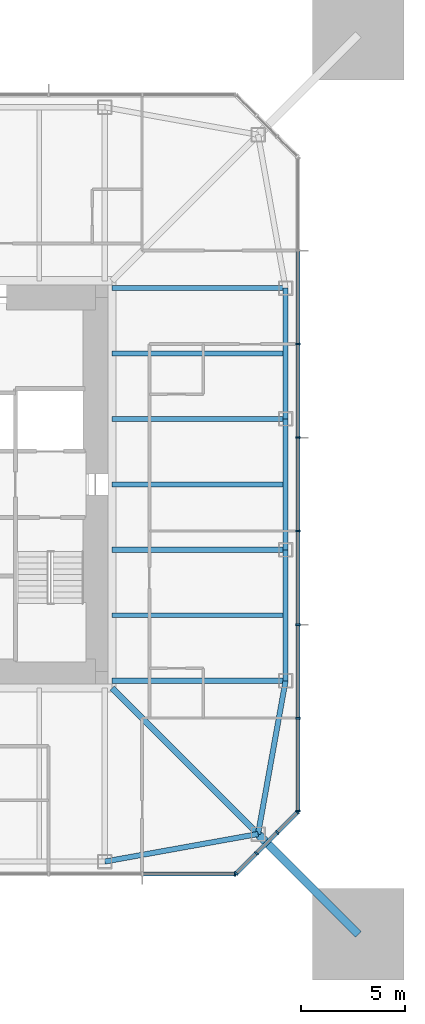
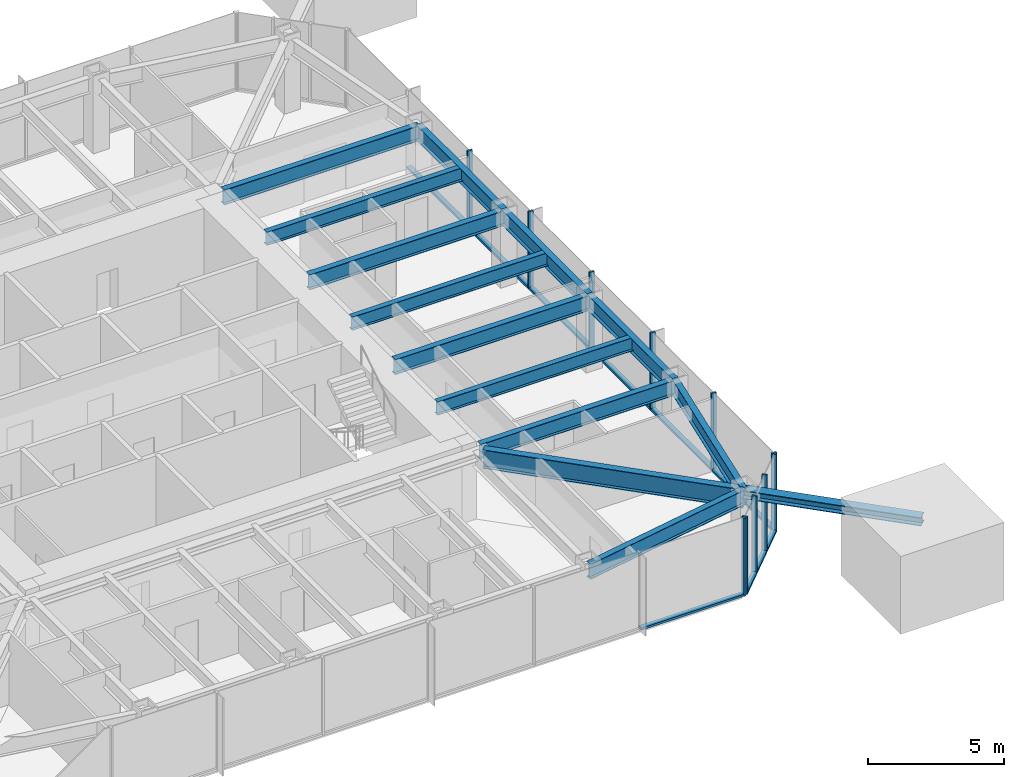
# One storey, part 3 of 11: 22 members, 13 beams, 3 elements without a shape of their own.
"""IFC4 building model written with IfcOpenShell, lengths in metres."""

from ifc_helpers import new_model, si_unit, direction, frame, origin, origin_2d, place, context, subcontext, project, spatial, rectangle, i_section, extrude, material, material_profile, profile_set, type_object, element, aggregate, save


model = new_model("IFC4")

# Units and contexts
model_context = context("Model", 3, precision=1e-05, world=origin(), true_north=direction((0.0, 1.0)))
body_context = subcontext(model_context, "Body", "Model", "MODEL_VIEW")
ifc_project = project(units=[si_unit("LENGTHUNIT", "METRE"), si_unit("AREAUNIT", "SQUARE_METRE"), si_unit("VOLUMEUNIT", "CUBIC_METRE"), si_unit("PLANEANGLEUNIT", "RADIAN"), si_unit("MASSUNIT", "GRAM", prefix="KILO")], contexts=[model_context])

# Site, building, storey
site_placement = place(None, origin())
site = spatial("IfcSite", under=ifc_project, at=site_placement, CompositionType="ELEMENT")
building_placement = place(site_placement, origin())
building = spatial("IfcBuilding", under=site, at=building_placement, Name="Iwan Alto Co-Living Towers", CompositionType="ELEMENT")
storey_placement = place(building_placement, frame((0.0, 0.0, 195.0)))
storey = spatial("IfcBuildingStorey", under=building, at=storey_placement, Name="L53", CompositionType="ELEMENT", Elevation=195.0)

# Curtain wall, member
ifc_material_1 = material(Name="Bronze aluminium unitised frame", Category="aluminium")
curtain_wall_type_1 = type_object("IfcCurtainWallType", Name="CURTAIN WALL CW-A", PredefinedType="NOTDEFINED", material=ifc_material_1)
curtain_wall_1_placement = place(storey_placement, origin())
curtain_wall_1 = element("IfcCurtainWall", 1, at=curtain_wall_1_placement, inside=storey, type_object=curtain_wall_type_1, Name="T1 curtain wall S L53", PredefinedType="NOTDEFINED")
ifc_material_2 = material(Name="Aluminium 6063-T6 bronze anodised", Category="aluminium")
ifc_material_profile_1 = material_profile(ifc_material_2, rectangle(XDim=0.199951171875, YDim=0.080078125, at=origin_2d()), Name="AL 80X200")
ifc_profile_set_1 = profile_set([ifc_material_profile_1], Name="Aluminium 6063-T6 bronze anodised")
member_type_1 = type_object("IfcMemberType", Name="CW-A MULLION 80X200", PredefinedType="MULLION", material=ifc_profile_set_1)
member_1_placement = place(storey_placement, frame((15.7099609375, -18.75, 0.0), z_axis=(0.0, 0.0, 1.0), x_axis=(0.0, 1.0, 0.0)))
member_1 = element("IfcMember", 2, at=member_1_placement, type_object=member_type_1, Name="CW-A mullion 8", PredefinedType="MULLION", context=body_context, shape_type="SweptSolid", body=[
    extrude(rectangle(XDim=0.199951171875, YDim=0.080078125, at=origin_2d()), origin(), (0.0, 0.0, 1.0), 3.5),
])

# Curtain wall, members
curtain_wall_2_placement = place(storey_placement, origin())
curtain_wall_2 = element("IfcCurtainWall", 3, at=curtain_wall_2_placement, inside=storey, type_object=curtain_wall_type_1, Name="T1 curtain wall E L53", PredefinedType="NOTDEFINED")
member_2_placement = place(storey_placement, frame((18.75, -15.7099609375, 0.0), z_axis=(0.0, 0.0, 1.0), x_axis=(-1.0, 0.0, 0.0)))
member_2 = element("IfcMember", 4, at=member_2_placement, type_object=member_type_1, Name="CW-A mullion 1", PredefinedType="MULLION", context=body_context, shape_type="SweptSolid", body=[
    extrude(rectangle(XDim=0.199951171875, YDim=0.080078125, at=origin_2d()), origin(), (0.0, 0.0, 1.0), 3.5),
])
member_3_placement = place(storey_placement, frame((18.75, -11.25, 0.0), z_axis=(0.0, 0.0, 1.0), x_axis=(-1.0, 0.0, 0.0)))
member_3 = element("IfcMember", 5, at=member_3_placement, type_object=member_type_1, Name="CW-A mullion 2", PredefinedType="MULLION", context=body_context, shape_type="SweptSolid", body=[
    extrude(rectangle(XDim=0.199951171875, YDim=0.080078125, at=origin_2d()), origin(), (0.0, 0.0, 1.0), 3.5),
])
member_4_placement = place(storey_placement, frame((18.75, -6.75, 0.0), z_axis=(0.0, 0.0, 1.0), x_axis=(-1.0, 0.0, 0.0)))
member_4 = element("IfcMember", 6, at=member_4_placement, type_object=member_type_1, Name="CW-A mullion 3", PredefinedType="MULLION", context=body_context, shape_type="SweptSolid", body=[
    extrude(rectangle(XDim=0.199951171875, YDim=0.080078125, at=origin_2d()), origin(), (0.0, 0.0, 1.0), 3.5),
])
member_5_placement = place(storey_placement, frame((18.75, -2.25, 0.0), z_axis=(0.0, 0.0, 1.0), x_axis=(-1.0, 0.0, 0.0)))
member_5 = element("IfcMember", 7, at=member_5_placement, type_object=member_type_1, Name="CW-A mullion 4", PredefinedType="MULLION", context=body_context, shape_type="SweptSolid", body=[
    extrude(rectangle(XDim=0.199951171875, YDim=0.080078125, at=origin_2d()), origin(), (0.0, 0.0, 1.0), 3.5),
])
member_6_placement = place(storey_placement, frame((18.75, 2.25, 0.0), z_axis=(0.0, 0.0, 1.0), x_axis=(-1.0, 0.0, 0.0)))
member_6 = element("IfcMember", 8, at=member_6_placement, type_object=member_type_1, Name="CW-A mullion 5", PredefinedType="MULLION", context=body_context, shape_type="SweptSolid", body=[
    extrude(rectangle(XDim=0.199951171875, YDim=0.080078125, at=origin_2d()), origin(), (0.0, 0.0, 1.0), 3.5),
])
member_7_placement = place(storey_placement, frame((18.75, 6.75, 0.0), z_axis=(0.0, 0.0, 1.0), x_axis=(-1.0, 0.0, 0.0)))
member_7 = element("IfcMember", 9, at=member_7_placement, type_object=member_type_1, Name="CW-A mullion 6", PredefinedType="MULLION", context=body_context, shape_type="SweptSolid", body=[
    extrude(rectangle(XDim=0.199951171875, YDim=0.080078125, at=origin_2d()), origin(), (0.0, 0.0, 1.0), 3.5),
])

# Member
ifc_material_3 = material(Name="Aluminium 6063-T6 bronze anodised", Category="aluminium")
ifc_material_profile_2 = material_profile(ifc_material_3, rectangle(XDim=0.199951171875, YDim=0.10009765625, at=origin_2d()), Name="AL 200X100")
ifc_profile_set_2 = profile_set([ifc_material_profile_2], Name="Aluminium 6063-T6 bronze anodised")
member_type_2 = type_object("IfcMemberType", Name="CW-A TRANSOM 200X100", PredefinedType="USERDEFINED", material=ifc_profile_set_2)
member_8_placement = place(storey_placement, frame((11.2900390625, -18.75, 0.050048828125), z_axis=(1.0, 0.0, 0.0), x_axis=(0.0, 1.0, 0.0)))
member_8 = element("IfcMember", 10, at=member_8_placement, type_object=member_type_2, Name="CW-A transom 7.1", ObjectType="TRANSOM", PredefinedType="USERDEFINED", context=body_context, shape_type="SweptSolid", body=[
    extrude(rectangle(XDim=0.199951171875, YDim=0.10009765625, at=origin_2d()), origin(), (0.0, 0.0, 1.0), 4.3798828125),
])

aggregate(curtain_wall_1, [member_1, member_8])

member_9_placement = place(storey_placement, frame((18.75, -15.669921875, 0.050048828125), z_axis=(0.0, 1.0, 0.0), x_axis=(-1.0, 0.0, 0.0)))
member_9 = element("IfcMember", 11, at=member_9_placement, type_object=member_type_2, Name="CW-A transom 1.1", ObjectType="TRANSOM", PredefinedType="USERDEFINED", context=body_context, shape_type="SweptSolid", body=[
    extrude(rectangle(XDim=0.199951171875, YDim=0.10009765625, at=origin_2d()), origin(), (0.0, 0.0, 1.0), 4.3798828125),
])

member_10_placement = place(storey_placement, frame((18.75, -11.2099609375, 0.050048828125), z_axis=(0.0, 1.0, 0.0), x_axis=(-1.0, 0.0, 0.0)))
member_10 = element("IfcMember", 12, at=member_10_placement, type_object=member_type_2, Name="CW-A transom 2.1", ObjectType="TRANSOM", PredefinedType="USERDEFINED", context=body_context, shape_type="SweptSolid", body=[
    extrude(rectangle(XDim=0.199951171875, YDim=0.10009765625, at=origin_2d()), origin(), (0.0, 0.0, 1.0), 4.419921875),
])

member_11_placement = place(storey_placement, frame((18.75, -6.7099609375, 0.050048828125), z_axis=(0.0, 1.0, 0.0), x_axis=(-1.0, 0.0, 0.0)))
member_11 = element("IfcMember", 13, at=member_11_placement, type_object=member_type_2, Name="CW-A transom 3.1", ObjectType="TRANSOM", PredefinedType="USERDEFINED", context=body_context, shape_type="SweptSolid", body=[
    extrude(rectangle(XDim=0.199951171875, YDim=0.10009765625, at=origin_2d()), origin(), (0.0, 0.0, 1.0), 4.419921875),
])

member_12_placement = place(storey_placement, frame((18.75, -2.2099609375, 0.050048828125), z_axis=(0.0, 1.0, 0.0), x_axis=(-1.0, 0.0, 0.0)))
member_12 = element("IfcMember", 14, at=member_12_placement, type_object=member_type_2, Name="CW-A transom 4.1", ObjectType="TRANSOM", PredefinedType="USERDEFINED", context=body_context, shape_type="SweptSolid", body=[
    extrude(rectangle(XDim=0.199951171875, YDim=0.10009765625, at=origin_2d()), origin(), (0.0, 0.0, 1.0), 4.419921875),
])

member_13_placement = place(storey_placement, frame((18.75, 2.2900390625, 0.050048828125), z_axis=(0.0, 1.0, 0.0), x_axis=(-1.0, 0.0, 0.0)))
member_13 = element("IfcMember", 15, at=member_13_placement, type_object=member_type_2, Name="CW-A transom 5.1", ObjectType="TRANSOM", PredefinedType="USERDEFINED", context=body_context, shape_type="SweptSolid", body=[
    extrude(rectangle(XDim=0.199951171875, YDim=0.10009765625, at=origin_2d()), origin(), (0.0, 0.0, 1.0), 4.419921875),
])

member_14_placement = place(storey_placement, frame((18.75, 6.7900390625, 0.050048828125), z_axis=(0.0, 1.0, 0.0), x_axis=(-1.0, 0.0, 0.0)))
member_14 = element("IfcMember", 16, at=member_14_placement, type_object=member_type_2, Name="CW-A transom 6.1", ObjectType="TRANSOM", PredefinedType="USERDEFINED", context=body_context, shape_type="SweptSolid", body=[
    extrude(rectangle(XDim=0.199951171875, YDim=0.10009765625, at=origin_2d()), origin(), (0.0, 0.0, 1.0), 4.419921875),
])

aggregate(curtain_wall_2, [member_2, member_3, member_4, member_5, member_6, member_7, member_9, member_10, member_11, member_12, member_13, member_14])

# Curtain wall, members
ifc_material_4 = material(Name="Bronze aluminium unitised frame", Category="aluminium")
curtain_wall_type_2 = type_object("IfcCurtainWallType", Name="CURTAIN WALL CW-B", PredefinedType="NOTDEFINED", material=ifc_material_4)
curtain_wall_3_placement = place(storey_placement, origin())
curtain_wall_3 = element("IfcCurtainWall", 17, at=curtain_wall_3_placement, inside=storey, type_object=curtain_wall_type_2, Name="T1 chamfer curtain wall SE L53", PredefinedType="NOTDEFINED")
ifc_material_5 = material(Name="Aluminium 6063-T6 bronze anodised", Category="aluminium")
ifc_material_profile_3 = material_profile(ifc_material_5, rectangle(XDim=0.199951171875, YDim=0.080078125, at=origin_2d()), Name="AL 80X200")
ifc_profile_set_3 = profile_set([ifc_material_profile_3], Name="Aluminium 6063-T6 bronze anodised")
member_type_3 = type_object("IfcMemberType", Name="CW-B MULLION 80X200", PredefinedType="MULLION", material=ifc_profile_set_3)
member_15_placement = place(storey_placement, frame((15.7783203125, -18.7216796875, 0.0), z_axis=(0.0, 0.0, 1.0), x_axis=(-0.707106781187, 0.707106781187, 0.0)))
member_15 = element("IfcMember", 18, at=member_15_placement, type_object=member_type_3, Name="CW-B mullion 1", PredefinedType="MULLION", context=body_context, shape_type="SweptSolid", body=[
    extrude(rectangle(XDim=0.199951171875, YDim=0.080078125, at=origin_2d()), origin(), (0.0, 0.0, 1.0), 3.5),
])
member_16_placement = place(storey_placement, frame((16.75, -17.75, 0.0), z_axis=(0.0, 0.0, 1.0), x_axis=(-0.707106781187, 0.707106781187, 0.0)))
member_16 = element("IfcMember", 19, at=member_16_placement, type_object=member_type_3, Name="CW-B mullion 2", PredefinedType="MULLION", context=body_context, shape_type="SweptSolid", body=[
    extrude(rectangle(XDim=0.199951171875, YDim=0.080078125, at=origin_2d()), origin(), (0.0, 0.0, 1.0), 3.5),
])
member_17_placement = place(storey_placement, frame((17.75, -16.75, 0.0), z_axis=(0.0, 0.0, 1.0), x_axis=(-0.707106781187, 0.707106781187, 0.0)))
member_17 = element("IfcMember", 20, at=member_17_placement, type_object=member_type_3, Name="CW-B mullion 3", PredefinedType="MULLION", context=body_context, shape_type="SweptSolid", body=[
    extrude(rectangle(XDim=0.199951171875, YDim=0.080078125, at=origin_2d()), origin(), (0.0, 0.0, 1.0), 3.5),
])
member_18_placement = place(storey_placement, frame((18.7216796875, -15.7783203125, 0.0), z_axis=(0.0, 0.0, 1.0), x_axis=(-0.707106781187, 0.707106781187, 0.0)))
member_18 = element("IfcMember", 21, at=member_18_placement, type_object=member_type_3, Name="CW-B mullion 4", PredefinedType="MULLION", context=body_context, shape_type="SweptSolid", body=[
    extrude(rectangle(XDim=0.199951171875, YDim=0.080078125, at=origin_2d()), origin(), (0.0, 0.0, 1.0), 3.5),
])
ifc_material_6 = material(Name="Aluminium 6063-T6 bronze anodised", Category="aluminium")
ifc_material_profile_4 = material_profile(ifc_material_6, rectangle(XDim=0.199951171875, YDim=0.10009765625, at=origin_2d()), Name="AL 200X100")
ifc_profile_set_4 = profile_set([ifc_material_profile_4], Name="Aluminium 6063-T6 bronze anodised")
member_type_4 = type_object("IfcMemberType", Name="CW-B TRANSOM 200X100", PredefinedType="USERDEFINED", material=ifc_profile_set_4)
member_19_placement = place(storey_placement, frame((15.806640625, -18.693359375, 0.050048828125), z_axis=(0.707106781187, 0.707106781187, 0.0), x_axis=(-0.707106781187, 0.707106781187, 0.0)))
member_19 = element("IfcMember", 22, at=member_19_placement, type_object=member_type_4, Name="CW-B transom 1.1", ObjectType="TRANSOM", PredefinedType="USERDEFINED", context=body_context, shape_type="SweptSolid", body=[
    extrude(rectangle(XDim=0.199951171875, YDim=0.10009765625, at=origin_2d()), origin(), (0.0, 0.0, 1.0), 1.2939453125),
])
member_20_placement = place(storey_placement, frame((16.7783203125, -17.7216796875, 0.050048828125), z_axis=(0.707106781187, 0.707106781187, 0.0), x_axis=(-0.707106781187, 0.707106781187, 0.0)))
member_20 = element("IfcMember", 23, at=member_20_placement, type_object=member_type_4, Name="CW-B transom 2.1", ObjectType="TRANSOM", PredefinedType="USERDEFINED", context=body_context, shape_type="SweptSolid", body=[
    extrude(rectangle(XDim=0.199951171875, YDim=0.10009765625, at=origin_2d()), origin(), (0.0, 0.0, 1.0), 1.334228515625),
])
member_21_placement = place(storey_placement, frame((17.7783203125, -16.7216796875, 0.050048828125), z_axis=(0.707106781187, 0.707106781187, 0.0), x_axis=(-0.707106781187, 0.707106781187, 0.0)))
member_21 = element("IfcMember", 24, at=member_21_placement, type_object=member_type_4, Name="CW-B transom 3.1", ObjectType="TRANSOM", PredefinedType="USERDEFINED", context=body_context, shape_type="SweptSolid", body=[
    extrude(rectangle(XDim=0.199951171875, YDim=0.10009765625, at=origin_2d()), origin(), (0.0, 0.0, 1.0), 1.2939453125),
])
aggregate(curtain_wall_3, [member_15, member_16, member_17, member_18, member_19, member_20, member_21])

# Beams
ifc_material_7 = material(Name="Steel ASTM A992 Gr 50", Category="steel")
ifc_material_profile_5 = material_profile(ifc_material_7, i_section(OverallWidth=0.2919921875, OverallDepth=0.8408203125, WebThickness=0.0146484375, FlangeThickness=0.021728515625, at=origin_2d()), Name="W33X130")
ifc_profile_set_5 = profile_set([ifc_material_profile_5], Name="Steel ASTM A992 Gr 50")
beam_type_1 = type_object("IfcBeamType", Name="T1 CORNER GIRDER W33X130", PredefinedType="BEAM", material=ifc_profile_set_5)
beam_1_placement = place(storey_placement, frame((16.82568359375, -16.82568359375, 2.849609375), z_axis=(-0.707106781187, 0.707106781187, 0.0), x_axis=(-0.707106781187, -0.707106781187, 0.0)))
element("IfcBeam", 25, at=beam_1_placement, inside=storey, type_object=beam_type_1, Name="T1 corner girder CSE L54", PredefinedType="BEAM", context=body_context, shape_type="SweptSolid", body=[
    extrude(i_section(OverallWidth=0.2919921875, OverallDepth=0.8408203125, WebThickness=0.0146484375, FlangeThickness=0.021728515625, at=origin_2d()), origin(), (0.0, 0.0, 1.0), 9.936767578125),
])
ifc_material_8 = material(Name="Steel ASTM A992 Gr 50", Category="steel")
ifc_material_profile_6 = material_profile(ifc_material_8, i_section(OverallWidth=0.25390625, OverallDepth=0.683349609375, WebThickness=0.012451171875, FlangeThickness=0.018798828125, at=origin_2d()), Name="W27X94")
ifc_profile_set_6 = profile_set([ifc_material_profile_6], Name="Steel ASTM A992 Gr 50")
beam_type_2 = type_object("IfcBeamType", Name="T1 EDGE BEAM W27X94", PredefinedType="BEAM", material=ifc_profile_set_6)
for number, where, z_axis, x_axis, name in (
    (26, (9.449951171875, -18.14990234375, 2.928466796875), (0.98426263553, 0.17671181143, 0.0), (-0.17671181143, 0.98426263553, 0.0), "T1 edge beam S4 L54"),
    (27, (16.82568359375, -16.82568359375, 2.928466796875), (0.17671181143, 0.98426263553, 0.0), (-0.98426263553, 0.17671181143, 0.0), "T1 edge beam CSE L54"),
):
    element("IfcBeam", number, at=place(storey_placement, frame(where, z_axis=z_axis, x_axis=x_axis)), inside=storey, type_object=beam_type_2, Name=name, PredefinedType="BEAM", context=body_context, shape_type="SweptSolid", body=[
        extrude(i_section(OverallWidth=0.25390625, OverallDepth=0.683349609375, WebThickness=0.012451171875, FlangeThickness=0.018798828125, at=origin_2d()), origin(), (0.0, 0.0, 1.0), 7.49365234375),
    ])
beam_2_placement = place(storey_placement, frame((18.14990234375, -9.449951171875, 2.928466796875), z_axis=(0.0, 1.0, 0.0), x_axis=(-1.0, 0.0, 0.0)))
element("IfcBeam", 28, at=beam_2_placement, inside=storey, type_object=beam_type_2, Name="T1 edge beam E1 L54", PredefinedType="BEAM", context=body_context, shape_type="SweptSolid", body=[
    extrude(i_section(OverallWidth=0.25390625, OverallDepth=0.683349609375, WebThickness=0.012451171875, FlangeThickness=0.018798828125, at=origin_2d()), origin(), (0.0, 0.0, 1.0), 6.300048828125),
])
beam_3_placement = place(storey_placement, frame((18.14990234375, -3.14990234375, 2.928466796875), z_axis=(0.0, 1.0, 0.0), x_axis=(-1.0, 0.0, 0.0)))
element("IfcBeam", 29, at=beam_3_placement, inside=storey, type_object=beam_type_2, Name="T1 edge beam E2 L54", PredefinedType="BEAM", context=body_context, shape_type="SweptSolid", body=[
    extrude(i_section(OverallWidth=0.25390625, OverallDepth=0.683349609375, WebThickness=0.012451171875, FlangeThickness=0.018798828125, at=origin_2d()), origin(), (0.0, 0.0, 1.0), 6.2998046875),
])
beam_4_placement = place(storey_placement, frame((18.14990234375, 3.14990234375, 2.928466796875), z_axis=(0.0, 1.0, 0.0), x_axis=(-1.0, 0.0, 0.0)))
element("IfcBeam", 30, at=beam_4_placement, inside=storey, type_object=beam_type_2, Name="T1 edge beam E3 L54", PredefinedType="BEAM", context=body_context, shape_type="SweptSolid", body=[
    extrude(i_section(OverallWidth=0.25390625, OverallDepth=0.683349609375, WebThickness=0.012451171875, FlangeThickness=0.018798828125, at=origin_2d()), origin(), (0.0, 0.0, 1.0), 6.300048828125),
])

# Member
ifc_material_9 = material(Name="Steel ASTM A992 Gr 50", Category="steel")
ifc_material_profile_7 = material_profile(ifc_material_9, i_section(OverallWidth=0.393798828125, OverallDepth=0.3759765625, WebThickness=0.017333984375, FlangeThickness=0.027587890625, at=origin_2d()), Name="W14X145")
ifc_profile_set_7 = profile_set([ifc_material_profile_7], Name="Steel ASTM A992 Gr 50")
member_type_5 = type_object("IfcMemberType", Name="T1 MEGA COLUMN FLOOR TIE W14X145", PredefinedType="STRUT", material=ifc_profile_set_7)
member_22_placement = place(storey_placement, frame((21.64990234375, -21.64990234375, 3.08203125), z_axis=(-0.707106781187, 0.707106781187, 0.0), x_axis=(-0.707106781187, -0.707106781187, 0.0)))
element("IfcMember", 31, at=member_22_placement, inside=storey, type_object=member_type_5, Name="T1 mega column floor tie SE L54", PredefinedType="STRUT", context=body_context, shape_type="SweptSolid", body=[
    extrude(i_section(OverallWidth=0.393798828125, OverallDepth=0.3759765625, WebThickness=0.017333984375, FlangeThickness=0.027587890625, at=origin_2d()), origin(), (0.0, 0.0, 1.0), 6.822509765625),
])

# Beams
ifc_material_10 = material(Name="Steel ASTM A992 Gr 50", Category="steel")
ifc_material_profile_8 = material_profile(ifc_material_10, i_section(OverallWidth=0.25390625, OverallDepth=0.683349609375, WebThickness=0.012451171875, FlangeThickness=0.018798828125, at=origin_2d()), Name="W27X94")
ifc_profile_set_8 = profile_set([ifc_material_profile_8], Name="Steel ASTM A992 Gr 50")
beam_type_3 = type_object("IfcBeamType", Name="T1 RADIAL BEAM W27X94", PredefinedType="BEAM", material=ifc_profile_set_8)
for number, where, z_axis, x_axis, name in (
    (32, (18.14990234375, -9.449951171875, 2.928466796875), (-1.0, 0.0, 0.0), (0.0, -1.0, 0.0), "T1 radial beam E1 L54"),
    (33, (18.14990234375, -3.14990234375, 2.928466796875), (-1.0, 0.0, 0.0), (0.0, -1.0, 0.0), "T1 radial beam E2 L54"),
    (34, (18.14990234375, 3.14990234375, 2.928466796875), (-1.0, 0.0, 0.0), (0.0, -1.0, 0.0), "T1 radial beam E3 L54"),
    (35, (18.14990234375, 9.449951171875, 2.928466796875), (-1.0, 0.0, 0.0), (0.0, -1.0, 0.0), "T1 radial beam E4 L54"),
):
    element("IfcBeam", number, at=place(storey_placement, frame(where, z_axis=z_axis, x_axis=x_axis)), inside=storey, type_object=beam_type_3, Name=name, PredefinedType="BEAM", context=body_context, shape_type="SweptSolid", body=[
        extrude(i_section(OverallWidth=0.25390625, OverallDepth=0.683349609375, WebThickness=0.012451171875, FlangeThickness=0.018798828125, at=origin_2d()), origin(), (0.0, 0.0, 1.0), 8.3505859375),
    ])
ifc_material_11 = material(Name="Steel ASTM A992 Gr 50", Category="steel")
ifc_material_profile_9 = material_profile(ifc_material_11, i_section(OverallWidth=0.228271484375, OverallDepth=0.607177734375, WebThickness=0.01123046875, FlangeThickness=0.017333984375, at=origin_2d()), Name="W24X76")
ifc_profile_set_9 = profile_set([ifc_material_profile_9], Name="Steel ASTM A992 Gr 50")
beam_type_4 = type_object("IfcBeamType", Name="T1 SECONDARY BEAM W24X76", PredefinedType="JOIST", material=ifc_profile_set_9)
for number, where, z_axis, x_axis, name in (
    (36, (18.14990234375, -6.300048828125, 2.966552734375), (-1.0, 0.0, 0.0), (0.0, -1.0, 0.0), "T1 secondary beam E1 L54"),
    (37, (18.14990234375, 0.0, 2.966552734375), (-1.0, 0.0, 0.0), (0.0, -1.0, 0.0), "T1 secondary beam E2 L54"),
    (38, (18.14990234375, 6.300048828125, 2.966552734375), (-1.0, 0.0, 0.0), (0.0, -1.0, 0.0), "T1 secondary beam E3 L54"),
):
    element("IfcBeam", number, at=place(storey_placement, frame(where, z_axis=z_axis, x_axis=x_axis)), inside=storey, type_object=beam_type_4, Name=name, PredefinedType="JOIST", context=body_context, shape_type="SweptSolid", body=[
        extrude(i_section(OverallWidth=0.228271484375, OverallDepth=0.607177734375, WebThickness=0.01123046875, FlangeThickness=0.017333984375, at=origin_2d()), origin(), (0.0, 0.0, 1.0), 8.3505859375),
    ])

save(model, "model.ifc")
